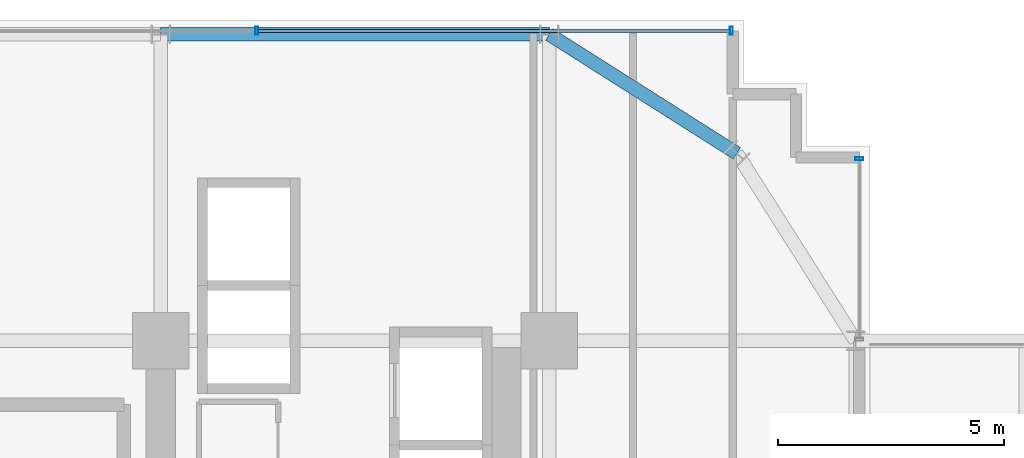
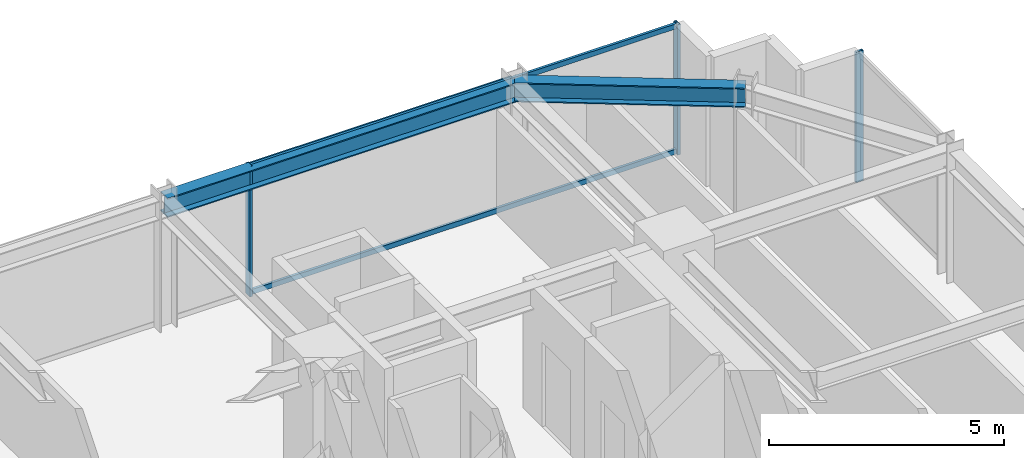
# One storey, part 25 of 33: 5 members, 2 beams, 2 elements without a shape of their own.
"""IFC4 building model written with IfcOpenShell, lengths in metres."""

from ifc_helpers import new_model, si_unit, direction, frame, origin, origin_2d, place, context, subcontext, project, spatial, hollow_rectangle, i_section, extrude, source, transform, mapped, material, material_profile, profile_set, type_object, element, aggregate, save


model = new_model("IFC4")

# Units and contexts
model_context = context("Model", 3, precision=1e-05, world=origin(), true_north=direction((0.0, 1.0)))
body_context = subcontext(model_context, "Body", "Model", "MODEL_VIEW")
ifc_project = project(units=[si_unit("LENGTHUNIT", "METRE"), si_unit("AREAUNIT", "SQUARE_METRE"), si_unit("VOLUMEUNIT", "CUBIC_METRE"), si_unit("PLANEANGLEUNIT", "RADIAN"), si_unit("MASSUNIT", "GRAM", prefix="KILO")], contexts=[model_context])

# Site, building, storey
site_placement = place(None, origin())
site = spatial("IfcSite", under=ifc_project, at=site_placement, CompositionType="ELEMENT")
building_placement = place(site_placement, origin())
building = spatial("IfcBuilding", under=site, at=building_placement, Name="Nahalor Promenade Grand Hotel", CompositionType="ELEMENT")
storey_placement = place(building_placement, frame((0.0, 0.0, 117.5)))
storey = spatial("IfcBuildingStorey", under=building, at=storey_placement, Name="L29", CompositionType="ELEMENT", Elevation=117.5)

# Beams
ifc_material_1 = material(Name="Steel S355JR", Category="steel")
ifc_material_profile_1 = material_profile(ifc_material_1, i_section(OverallWidth=0.3, OverallDepth=0.5, WebThickness=0.0145, FlangeThickness=0.028, at=origin_2d()), Name="HEB 500")
ifc_profile_set_1 = profile_set([ifc_material_profile_1], Name="Steel S355JR")
beam_type = type_object("IfcBeamType", Name="Beam-Spandrel-HEB500", PredefinedType="SPANDREL", material=ifc_profile_set_1)
shared_shape_1 = source(origin(), body_context, "Body", "SweptSolid", [
    extrude(i_section(OverallWidth=0.3, OverallDepth=0.5, WebThickness=0.0145, FlangeThickness=0.028, at=origin_2d()), origin(), (0.0, 0.0, 1.0), 8.60009765625),
])
beam_1_placement = place(storey_placement, frame((8.39990234375, 23.780029296875, 3.1298828125), z_axis=(1.0, 0.0, 0.0), x_axis=(0.0, 1.0, 0.0)))
element("IfcBeam", 1, at=beam_1_placement, inside=storey, type_object=beam_type, Name="BM-L29-SP-N-4", PredefinedType="SPANDREL", context=body_context, shape_type="MappedRepresentation", body=[
    mapped(shared_shape_1, transform((0.0, 0.0, 0.0), scale=1.0)),
])
shared_shape_2 = source(origin(), body_context, "Body", "SweptSolid", [
    extrude(i_section(OverallWidth=0.3, OverallDepth=0.5, WebThickness=0.0145, FlangeThickness=0.028, at=origin_2d()), origin(), (0.0, 0.0, 1.0), 4.9130859375),
])
beam_2_placement = place(storey_placement, frame((17.0, 23.780029296875, 3.1298828125), z_axis=(0.844648325505, -0.535321591403, 0.0), x_axis=(0.535321591403, 0.844648325505, 0.0)))
element("IfcBeam", 2, at=beam_2_placement, inside=storey, type_object=beam_type, Name="BM-L29-SPC-NE-1", PredefinedType="SPANDREL", context=body_context, shape_type="MappedRepresentation", body=[
    mapped(shared_shape_2, transform((0.0, 0.0, 0.0), scale=1.0)),
])

# Curtain wall, members
ifc_material_2 = material(Name="Anodised Bronze Aluminium EN AW-6063 T6", Category="aluminium")
curtain_wall_type = type_object("IfcCurtainWallType", Name="CW2 Typical Hotel Flush Bronze Unitised Curtain Wall", PredefinedType="USERDEFINED", material=ifc_material_2)
curtain_wall_1_placement = place(storey_placement, origin())
curtain_wall_1 = element("IfcCurtainWall", 3, at=curtain_wall_1_placement, inside=storey, type_object=curtain_wall_type, Name="L29 Curtain Wall CW-L29-N-1", ObjectType="UNITISED_CURTAIN_WALL", PredefinedType="USERDEFINED")
ifc_material_profile_2 = material_profile(ifc_material_2, hollow_rectangle(XDim=0.065, YDim=0.18, WallThickness=0.004, at=origin_2d()), Name="CWM 65x180x4")
ifc_profile_set_2 = profile_set([ifc_material_profile_2], Name="Anodised Bronze Aluminium EN AW-6063 T6")
member_type_1 = type_object("IfcMemberType", Name="CWM2 Typical Bronze Mullion 65x180", PredefinedType="MULLION", material=ifc_profile_set_2)
shared_shape_3 = source(origin(), body_context, "Body", "SweptSolid", [
    extrude(hollow_rectangle(XDim=0.065, YDim=0.18, WallThickness=0.004, at=origin_2d()), origin(), (0.0, 0.0, 1.0), 3.3798828125),
])
member_1_placement = place(storey_placement, frame((10.530029296875, 23.860107421875, 0.0), z_axis=(0.0, 0.0, 1.0), x_axis=(1.0, 0.0, 0.0)))
member_1 = element("IfcMember", 4, at=member_1_placement, type_object=member_type_1, Name="CW-L29-N-1 Mullion 3", PredefinedType="MULLION", context=body_context, shape_type="MappedRepresentation", body=[
    mapped(shared_shape_3, transform((0.0, 0.0, 0.0), scale=1.0)),
])
member_2_placement = place(storey_placement, frame((21.027587890625, 23.860107421875, 0.0), z_axis=(0.0, 0.0, 1.0), x_axis=(1.0, 0.0, 0.0)))
member_2 = element("IfcMember", 5, at=member_2_placement, type_object=member_type_1, Name="CW-L29-N-1 Mullion 4", PredefinedType="MULLION", context=body_context, shape_type="MappedRepresentation", body=[
    mapped(shared_shape_3, transform((0.0, 0.0, 0.0), scale=1.0)),
])

# Curtain wall, member
curtain_wall_2_placement = place(storey_placement, origin())
curtain_wall_2 = element("IfcCurtainWall", 6, at=curtain_wall_2_placement, inside=storey, type_object=curtain_wall_type, Name="L29 Curtain Wall CW-L29-E-3", ObjectType="UNITISED_CURTAIN_WALL", PredefinedType="USERDEFINED")
member_3_placement = place(storey_placement, frame((23.860107421875, 21.027587890625, 0.0), z_axis=(0.0, 0.0, 1.0), x_axis=(0.0, 1.0, 0.0)))
member_3 = element("IfcMember", 7, at=member_3_placement, type_object=member_type_1, Name="CW-L29-E-3 Mullion 1", PredefinedType="MULLION", context=body_context, shape_type="MappedRepresentation", body=[
    mapped(shared_shape_3, transform((0.0, 0.0, 0.0), scale=1.0)),
])
aggregate(curtain_wall_2, [member_3])

# Member
ifc_material_profile_3 = material_profile(ifc_material_2, hollow_rectangle(XDim=0.065, YDim=0.13, WallThickness=0.004, at=origin_2d()), Name="CWT 65x130x4")
ifc_profile_set_3 = profile_set([ifc_material_profile_3], Name="Anodised Bronze Aluminium EN AW-6063 T6")
member_type_2 = type_object("IfcMemberType", Name="CWT2 Typical Bronze Transom 65x130", PredefinedType="USERDEFINED", material=ifc_profile_set_3)
shared_shape_4 = source(origin(), body_context, "Body", "SweptSolid", [
    extrude(hollow_rectangle(XDim=0.065, YDim=0.13, WallThickness=0.004, at=origin_2d()), origin(), (0.0, 0.0, 1.0), 10.4326171875),
])
member_4_placement = place(storey_placement, frame((10.5625, 23.860107421875, 0.06494140625), z_axis=(1.0, 0.0, 0.0), x_axis=(0.0, 1.0, 0.0)))
member_4 = element("IfcMember", 8, at=member_4_placement, type_object=member_type_2, Name="CW-L29-N-1 Transom 3-0", ObjectType="TRANSOM", PredefinedType="USERDEFINED", context=body_context, shape_type="MappedRepresentation", body=[
    mapped(shared_shape_4, transform((0.0, 0.0, 0.0), scale=1.0)),
])

member_5_placement = place(storey_placement, frame((10.5625, 23.860107421875, 3.31494140625), z_axis=(1.0, 0.0, 0.0), x_axis=(0.0, 1.0, 0.0)))
member_5 = element("IfcMember", 9, at=member_5_placement, type_object=member_type_2, Name="CW-L29-N-1 Transom 3-1", ObjectType="TRANSOM", PredefinedType="USERDEFINED", context=body_context, shape_type="MappedRepresentation", body=[
    mapped(shared_shape_4, transform((0.0, 0.0, 0.0), scale=1.0)),
])

aggregate(curtain_wall_1, [member_1, member_2, member_4, member_5])

save(model, "model.ifc")
